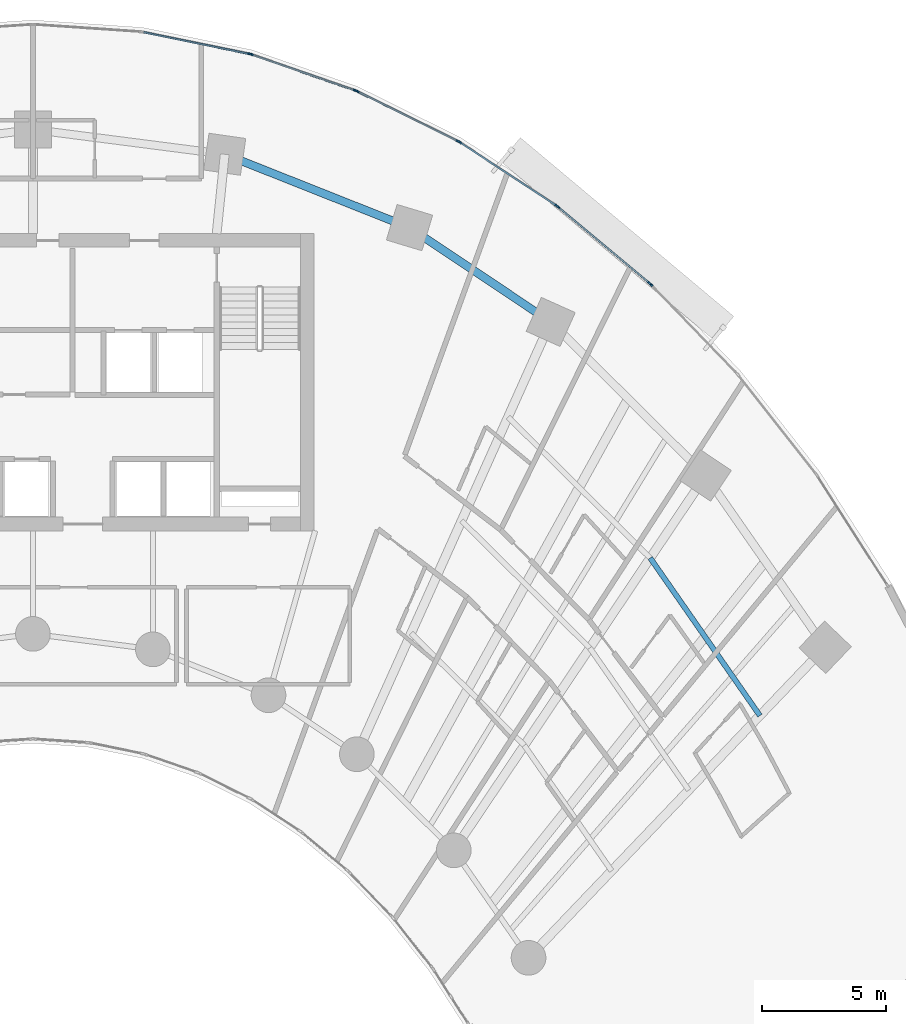
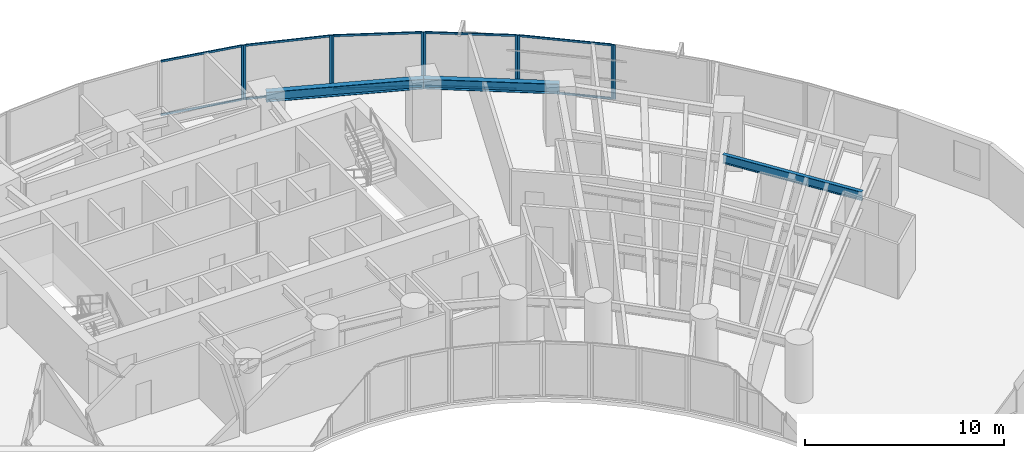
# One storey, part 7 of 18: 20 members, 3 beams, 6 elements without a shape of their own.
"""IFC4 building model written with IfcOpenShell, lengths in metres."""

from ifc_helpers import new_model, si_unit, direction, frame, origin, origin_2d, place, context, subcontext, project, spatial, rectangle, i_section, extrude, source, transform, mapped, material, layer, layer_set, material_profile, profile_set, type_object, element, aggregate, save


model = new_model("IFC4")

# Units and contexts
model_context = context("Model", 3, precision=1e-05, world=origin(), true_north=direction((0.0, 1.0)))
body_context = subcontext(model_context, "Body", "Model", "MODEL_VIEW")
ifc_project = project(units=[si_unit("LENGTHUNIT", "METRE"), si_unit("AREAUNIT", "SQUARE_METRE"), si_unit("VOLUMEUNIT", "CUBIC_METRE"), si_unit("PLANEANGLEUNIT", "RADIAN"), si_unit("MASSUNIT", "GRAM", prefix="KILO")], contexts=[model_context])

# Site, building, storey
site_placement = place(None, origin())
site = spatial("IfcSite", under=ifc_project, at=site_placement, CompositionType="ELEMENT")
building_placement = place(site_placement, origin())
building = spatial("IfcBuilding", under=site, at=building_placement, Name="Breltana Convention Tower", CompositionType="ELEMENT")
storey_placement = place(building_placement, frame((0.0, 0.0, 42.60009765625)))
storey = spatial("IfcBuildingStorey", under=building, at=storey_placement, Name="L08", CompositionType="ELEMENT", Elevation=42.60009765625)

# Beams
ifc_material_1 = material(Name="Steel ASTM A992 Grade 50", Category="steel")
ifc_material_profile_1 = material_profile(ifc_material_1, i_section(OverallWidth=0.323974609375, OverallDepth=0.611083984375, WebThickness=0.0126953125, FlangeThickness=0.01904296875, at=origin_2d()), Name="W24X104")
ifc_profile_set_1 = profile_set([ifc_material_profile_1], Name="Steel ASTM A992 Grade 50")
beam_type_1 = type_object("IfcBeamType", Name="BM-SP-W24X104", PredefinedType="SPANDREL", material=ifc_profile_set_1)
shared_shape_1 = source(origin(), body_context, "Body", "SweptSolid", [
    extrude(i_section(OverallWidth=0.323974609375, OverallDepth=0.611083984375, WebThickness=0.0126953125, FlangeThickness=0.01904296875, at=origin_2d()), origin(), (0.0, 0.0, 1.0), 8.028564453125),
])
beam_1_placement = place(storey_placement, frame((55.746826171875, 75.404296875, 3.054443359375), z_axis=(0.929459100394, -0.368925169507, 0.0), x_axis=(0.368925169507, 0.929459100394, 0.0)))
element("IfcBeam", 1, at=beam_1_placement, inside=storey, type_object=beam_type_1, Name="L08 Outer Spandrel Beam 07", PredefinedType="SPANDREL", context=body_context, shape_type="MappedRepresentation", body=[
    mapped(shared_shape_1, transform((0.0, 0.0, 0.0), scale=1.0)),
])
shared_shape_2 = source(origin(), body_context, "Body", "SweptSolid", [
    extrude(i_section(OverallWidth=0.323974609375, OverallDepth=0.611083984375, WebThickness=0.0126953125, FlangeThickness=0.01904296875, at=origin_2d()), origin(), (0.0, 0.0, 1.0), 6.856689453125),
])
beam_2_placement = place(storey_placement, frame((63.208984375, 72.4423828125, 3.054443359375), z_axis=(0.83150210718, -0.55552159792, 0.0), x_axis=(0.55552159792, 0.83150210718, 0.0)))
element("IfcBeam", 2, at=beam_2_placement, inside=storey, type_object=beam_type_1, Name="L08 Outer Spandrel Beam 08", PredefinedType="SPANDREL", context=body_context, shape_type="MappedRepresentation", body=[
    mapped(shared_shape_2, transform((0.0, 0.0, 0.0), scale=1.0)),
])
ifc_material_profile_2 = material_profile(ifc_material_1, i_section(OverallWidth=0.2099609375, OverallDepth=0.537109375, WebThickness=0.010986328125, FlangeThickness=0.017333984375, at=origin_2d()), Name="W21X68")
ifc_profile_set_2 = profile_set([ifc_material_profile_2], Name="Steel ASTM A992 Grade 50")
beam_type_2 = type_object("IfcBeamType", Name="BM-JSG-04", PredefinedType="JOIST", material=ifc_profile_set_2)
shared_shape_3 = source(origin(), body_context, "Body", "SweptSolid", [
    extrude(i_section(OverallWidth=0.2099609375, OverallDepth=0.537109375, WebThickness=0.010986328125, FlangeThickness=0.017333984375, at=origin_2d()), origin(), (0.0, 0.0, 1.0), 7.75390625),
])
beam_3_placement = place(storey_placement, frame((72.92919921875, 59.10009765625, 3.09130859375), z_axis=(0.57119271264, -0.820815987312, 0.0), x_axis=(0.820815987312, 0.57119271264, 0.0)))
element("IfcBeam", 3, at=beam_3_placement, inside=storey, type_object=beam_type_2, Name="L08 Composite Floor Joist 10.3", PredefinedType="JOIST", context=body_context, shape_type="MappedRepresentation", body=[
    mapped(shared_shape_3, transform((0.0, 0.0, 0.0), scale=1.0)),
])

# Curtain wall, members
ifc_material_2 = material(Name="Aluminium Anodised Bronze Frame", Category="aluminium")
ifc_layer = layer(ifc_material_2, 0.199951171875, Name="Aluminium Anodised Bronze Frame")
ifc_layer_set = layer_set([ifc_layer], Name="Aluminium Anodised Bronze Frame")
curtain_wall_type = type_object("IfcCurtainWallType", Name="CW-SYS-2", PredefinedType="NOTDEFINED", material=ifc_layer_set)
curtain_wall_1_placement = place(storey_placement, origin())
curtain_wall_1 = element("IfcCurtainWall", 4, at=curtain_wall_1_placement, inside=storey, type_object=curtain_wall_type, Name="L08 outer double-skin inner glazing 15", PredefinedType="NOTDEFINED")
ifc_material_3 = material(Name="Aluminium Anodised Bronze", Category="aluminium")
ifc_material_profile_3 = material_profile(ifc_material_3, rectangle(XDim=0.070068359375, YDim=0.1201171875, at=origin_2d()), Name="CWT-70X120")
ifc_profile_set_3 = profile_set([ifc_material_profile_3], Name="Aluminium Anodised Bronze")
member_type_1 = type_object("IfcMemberType", Name="CWT-120", PredefinedType="USERDEFINED", material=ifc_profile_set_3)
shared_shape_4 = source(origin(), body_context, "Body", "SweptSolid", [
    extrude(rectangle(XDim=0.070068359375, YDim=0.1201171875, at=origin_2d()), origin(), (0.0, 0.0, 1.0), 4.7509765625),
])
member_1_placement = place(storey_placement, frame((69.2294921875, 73.2607421875, 0.034912109375), z_axis=(0.767951631807, -0.64050783852, 0.0), x_axis=(0.64050783852, 0.767951631807, 0.0)))
member_1 = element("IfcMember", 5, at=member_1_placement, type_object=member_type_1, Name="CW-02 transom 1.1", ObjectType="TRANSOM", PredefinedType="USERDEFINED", context=body_context, shape_type="MappedRepresentation", body=[
    mapped(shared_shape_4, transform((0.0, 0.0, 0.0), scale=1.0)),
])
member_2_placement = place(storey_placement, frame((69.2294921875, 73.2607421875, 3.324951171875), z_axis=(0.767951631807, -0.64050783852, 0.0), x_axis=(0.64050783852, 0.767951631807, 0.0)))
member_2 = element("IfcMember", 6, at=member_2_placement, type_object=member_type_1, Name="CW-02 transom 1.2", ObjectType="TRANSOM", PredefinedType="USERDEFINED", context=body_context, shape_type="MappedRepresentation", body=[
    mapped(shared_shape_4, transform((0.0, 0.0, 0.0), scale=1.0)),
])

curtain_wall_2_placement = place(storey_placement, origin())
curtain_wall_2 = element("IfcCurtainWall", 7, at=curtain_wall_2_placement, inside=storey, type_object=curtain_wall_type, Name="L08 outer double-skin inner glazing 14", PredefinedType="NOTDEFINED")
shared_shape_5 = source(origin(), body_context, "Body", "SweptSolid", [
    extrude(rectangle(XDim=0.070068359375, YDim=0.1201171875, at=origin_2d()), origin(), (0.0, 0.0, 1.0), 4.610595703125),
])
member_3_placement = place(storey_placement, frame((65.262939453125, 75.874267578125, 0.034912109375), z_axis=(0.835956055104, -0.54879638659, 0.0), x_axis=(0.54879638659, 0.835956055104, 0.0)))
member_3 = element("IfcMember", 8, at=member_3_placement, type_object=member_type_1, Name="CW-02 transom 1.1", ObjectType="TRANSOM", PredefinedType="USERDEFINED", context=body_context, shape_type="MappedRepresentation", body=[
    mapped(shared_shape_5, transform((0.0, 0.0, 0.0), scale=1.0)),
])
member_4_placement = place(storey_placement, frame((65.262939453125, 75.874267578125, 3.324951171875), z_axis=(0.835956055104, -0.54879638659, 0.0), x_axis=(0.54879638659, 0.835956055104, 0.0)))
member_4 = element("IfcMember", 9, at=member_4_placement, type_object=member_type_1, Name="CW-02 transom 1.2", ObjectType="TRANSOM", PredefinedType="USERDEFINED", context=body_context, shape_type="MappedRepresentation", body=[
    mapped(shared_shape_5, transform((0.0, 0.0, 0.0), scale=1.0)),
])

curtain_wall_3_placement = place(storey_placement, origin())
curtain_wall_3 = element("IfcCurtainWall", 10, at=curtain_wall_3_placement, inside=storey, type_object=curtain_wall_type, Name="L08 outer double-skin inner glazing 13", PredefinedType="NOTDEFINED")
shared_shape_6 = source(origin(), body_context, "Body", "SweptSolid", [
    extrude(rectangle(XDim=0.070068359375, YDim=0.1201171875, at=origin_2d()), origin(), (0.0, 0.0, 1.0), 4.487548828125),
])
member_5_placement = place(storey_placement, frame((61.120849609375, 77.936767578125, 0.034912109375), z_axis=(0.895977728863, -0.444098986017, 0.0), x_axis=(0.444098986017, 0.895977728863, 0.0)))
member_5 = element("IfcMember", 11, at=member_5_placement, type_object=member_type_1, Name="CW-02 transom 1.1", ObjectType="TRANSOM", PredefinedType="USERDEFINED", context=body_context, shape_type="MappedRepresentation", body=[
    mapped(shared_shape_6, transform((0.0, 0.0, 0.0), scale=1.0)),
])
member_6_placement = place(storey_placement, frame((61.120849609375, 77.936767578125, 3.324951171875), z_axis=(0.895977728863, -0.444098986017, 0.0), x_axis=(0.444098986017, 0.895977728863, 0.0)))
member_6 = element("IfcMember", 12, at=member_6_placement, type_object=member_type_1, Name="CW-02 transom 1.2", ObjectType="TRANSOM", PredefinedType="USERDEFINED", context=body_context, shape_type="MappedRepresentation", body=[
    mapped(shared_shape_6, transform((0.0, 0.0, 0.0), scale=1.0)),
])

curtain_wall_4_placement = place(storey_placement, origin())
curtain_wall_4 = element("IfcCurtainWall", 13, at=curtain_wall_4_placement, inside=storey, type_object=curtain_wall_type, Name="L08 outer double-skin inner glazing 12", PredefinedType="NOTDEFINED")
shared_shape_7 = source(origin(), body_context, "Body", "SweptSolid", [
    extrude(rectangle(XDim=0.070068359375, YDim=0.1201171875, at=origin_2d()), origin(), (0.0, 0.0, 1.0), 4.38818359375),
])
member_7_placement = place(storey_placement, frame((56.845703125, 79.427490234375, 0.034912109375), z_axis=(0.944878203019, -0.32742202348, 0.0), x_axis=(0.32742202348, 0.944878203019, 0.0)))
member_7 = element("IfcMember", 14, at=member_7_placement, type_object=member_type_1, Name="CW-02 transom 1.1", ObjectType="TRANSOM", PredefinedType="USERDEFINED", context=body_context, shape_type="MappedRepresentation", body=[
    mapped(shared_shape_7, transform((0.0, 0.0, 0.0), scale=1.0)),
])
member_8_placement = place(storey_placement, frame((56.845703125, 79.427490234375, 3.324951171875), z_axis=(0.944878203019, -0.32742202348, 0.0), x_axis=(0.32742202348, 0.944878203019, 0.0)))
member_8 = element("IfcMember", 15, at=member_8_placement, type_object=member_type_1, Name="CW-02 transom 1.2", ObjectType="TRANSOM", PredefinedType="USERDEFINED", context=body_context, shape_type="MappedRepresentation", body=[
    mapped(shared_shape_7, transform((0.0, 0.0, 0.0), scale=1.0)),
])

curtain_wall_5_placement = place(storey_placement, origin())
curtain_wall_5 = element("IfcCurtainWall", 16, at=curtain_wall_5_placement, inside=storey, type_object=curtain_wall_type, Name="L08 outer double-skin inner glazing 11", PredefinedType="NOTDEFINED")
shared_shape_8 = source(origin(), body_context, "Body", "SweptSolid", [
    extrude(rectangle(XDim=0.070068359375, YDim=0.1201171875, at=origin_2d()), origin(), (0.0, 0.0, 1.0), 4.318359375),
])
member_9_placement = place(storey_placement, frame((52.480712890625, 80.33203125, 0.034912109375), z_axis=(0.979616680923, -0.200875977799, 0.0), x_axis=(0.200875977799, 0.979616680923, 0.0)))
member_9 = element("IfcMember", 17, at=member_9_placement, type_object=member_type_1, Name="CW-02 transom 1.1", ObjectType="TRANSOM", PredefinedType="USERDEFINED", context=body_context, shape_type="MappedRepresentation", body=[
    mapped(shared_shape_8, transform((0.0, 0.0, 0.0), scale=1.0)),
])
member_10_placement = place(storey_placement, frame((52.480712890625, 80.33203125, 3.324951171875), z_axis=(0.979616680923, -0.200875977799, 0.0), x_axis=(0.200875977799, 0.979616680923, 0.0)))
member_10 = element("IfcMember", 18, at=member_10_placement, type_object=member_type_1, Name="CW-02 transom 1.2", ObjectType="TRANSOM", PredefinedType="USERDEFINED", context=body_context, shape_type="MappedRepresentation", body=[
    mapped(shared_shape_8, transform((0.0, 0.0, 0.0), scale=1.0)),
])
ifc_material_profile_4 = material_profile(ifc_material_3, rectangle(XDim=0.070068359375, YDim=0.175048828125, at=origin_2d()), Name="CWM-70X175")
ifc_profile_set_4 = profile_set([ifc_material_profile_4], Name="Aluminium Anodised Bronze")
member_type_2 = type_object("IfcMemberType", Name="CWM-175", PredefinedType="MULLION", material=ifc_profile_set_4)
shared_shape_9 = source(origin(), body_context, "Body", "SweptSolid", [
    extrude(rectangle(XDim=0.070068359375, YDim=0.175048828125, at=origin_2d()), origin(), (0.0, 0.0, 1.0), 3.35986328125),
])
member_11_placement = place(storey_placement, frame((56.7451171875, 79.45751953125, 0.0), z_axis=(0.0, 0.0, 1.0), x_axis=(0.200884537139, 0.979614925743, 0.0)))
member_11 = element("IfcMember", 19, at=member_11_placement, type_object=member_type_2, Name="CW-02 mullion 2", PredefinedType="MULLION", context=body_context, shape_type="MappedRepresentation", body=[
    mapped(shared_shape_9, transform((0.0, 0.0, 0.0), scale=1.0)),
])
aggregate(curtain_wall_5, [member_11, member_9, member_10])

# Member
member_12_placement = place(storey_placement, frame((56.8125, 79.43896484375, 0.0), z_axis=(0.0, 0.0, 1.0), x_axis=(0.32742834581, 0.944876012163, 0.0)))
member_12 = element("IfcMember", 20, at=member_12_placement, type_object=member_type_2, Name="CW-02 mullion 1", PredefinedType="MULLION", context=body_context, shape_type="MappedRepresentation", body=[
    mapped(shared_shape_9, transform((0.0, 0.0, 0.0), scale=1.0)),
])

member_13_placement = place(storey_placement, frame((61.025146484375, 77.979248046875, 0.0), z_axis=(0.0, 0.0, 1.0), x_axis=(0.32742834581, 0.944876012163, 0.0)))
member_13 = element("IfcMember", 21, at=member_13_placement, type_object=member_type_2, Name="CW-02 mullion 2", PredefinedType="MULLION", context=body_context, shape_type="MappedRepresentation", body=[
    mapped(shared_shape_9, transform((0.0, 0.0, 0.0), scale=1.0)),
])

aggregate(curtain_wall_4, [member_12, member_13, member_7, member_8])

member_14_placement = place(storey_placement, frame((61.089599609375, 77.9521484375, 0.0), z_axis=(0.0, 0.0, 1.0), x_axis=(0.444107703726, 0.895973407804, 0.0)))
member_14 = element("IfcMember", 22, at=member_14_placement, type_object=member_type_2, Name="CW-02 mullion 1", PredefinedType="MULLION", context=body_context, shape_type="MappedRepresentation", body=[
    mapped(shared_shape_9, transform((0.0, 0.0, 0.0), scale=1.0)),
])

member_15_placement = place(storey_placement, frame((65.1728515625, 75.92822265625, 0.0), z_axis=(0.0, 0.0, 1.0), x_axis=(0.444107703726, 0.895973407804, 0.0)))
member_15 = element("IfcMember", 23, at=member_15_placement, type_object=member_type_2, Name="CW-02 mullion 2", PredefinedType="MULLION", context=body_context, shape_type="MappedRepresentation", body=[
    mapped(shared_shape_9, transform((0.0, 0.0, 0.0), scale=1.0)),
])

aggregate(curtain_wall_3, [member_14, member_15, member_5, member_6])

member_16_placement = place(storey_placement, frame((65.233642578125, 75.8935546875, 0.0), z_axis=(0.0, 0.0, 1.0), x_axis=(0.548784255746, 0.83596401875, 0.0)))
member_16 = element("IfcMember", 24, at=member_16_placement, type_object=member_type_2, Name="CW-02 mullion 1", PredefinedType="MULLION", context=body_context, shape_type="MappedRepresentation", body=[
    mapped(shared_shape_9, transform((0.0, 0.0, 0.0), scale=1.0)),
])

member_17_placement = place(storey_placement, frame((69.146484375, 73.32470703125, 0.0), z_axis=(0.0, 0.0, 1.0), x_axis=(0.548784255746, 0.83596401875, 0.0)))
member_17 = element("IfcMember", 25, at=member_17_placement, type_object=member_type_2, Name="CW-02 mullion 2", PredefinedType="MULLION", context=body_context, shape_type="MappedRepresentation", body=[
    mapped(shared_shape_9, transform((0.0, 0.0, 0.0), scale=1.0)),
])

aggregate(curtain_wall_2, [member_16, member_17, member_3, member_4])

member_18_placement = place(storey_placement, frame((69.20263671875, 73.283203125, 0.0), z_axis=(0.0, 0.0, 1.0), x_axis=(0.640520193554, 0.767941326958, 0.0)))
member_18 = element("IfcMember", 26, at=member_18_placement, type_object=member_type_2, Name="CW-02 mullion 1", PredefinedType="MULLION", context=body_context, shape_type="MappedRepresentation", body=[
    mapped(shared_shape_9, transform((0.0, 0.0, 0.0), scale=1.0)),
])

member_19_placement = place(storey_placement, frame((72.90478515625, 70.1953125, 0.0), z_axis=(0.0, 0.0, 1.0), x_axis=(0.640520193554, 0.767941326958, 0.0)))
member_19 = element("IfcMember", 27, at=member_19_placement, type_object=member_type_2, Name="CW-02 mullion 2", PredefinedType="MULLION", context=body_context, shape_type="MappedRepresentation", body=[
    mapped(shared_shape_9, transform((0.0, 0.0, 0.0), scale=1.0)),
])

aggregate(curtain_wall_1, [member_18, member_19, member_1, member_2])

# Curtain wall, member
curtain_wall_6_placement = place(storey_placement, origin())
curtain_wall_6 = element("IfcCurtainWall", 28, at=curtain_wall_6_placement, inside=storey, type_object=curtain_wall_type, Name="L08 outer double-skin inner glazing 16", PredefinedType="NOTDEFINED")
member_20_placement = place(storey_placement, frame((72.955810546875, 70.147705078125, 0.0), z_axis=(0.0, 0.0, 1.0), x_axis=(0.719386421003, 0.694610090106, 0.0)))
member_20 = element("IfcMember", 29, at=member_20_placement, type_object=member_type_2, Name="CW-02 mullion 1", PredefinedType="MULLION", context=body_context, shape_type="MappedRepresentation", body=[
    mapped(shared_shape_9, transform((0.0, 0.0, 0.0), scale=1.0)),
])
aggregate(curtain_wall_6, [member_20])

save(model, "model.ifc")
